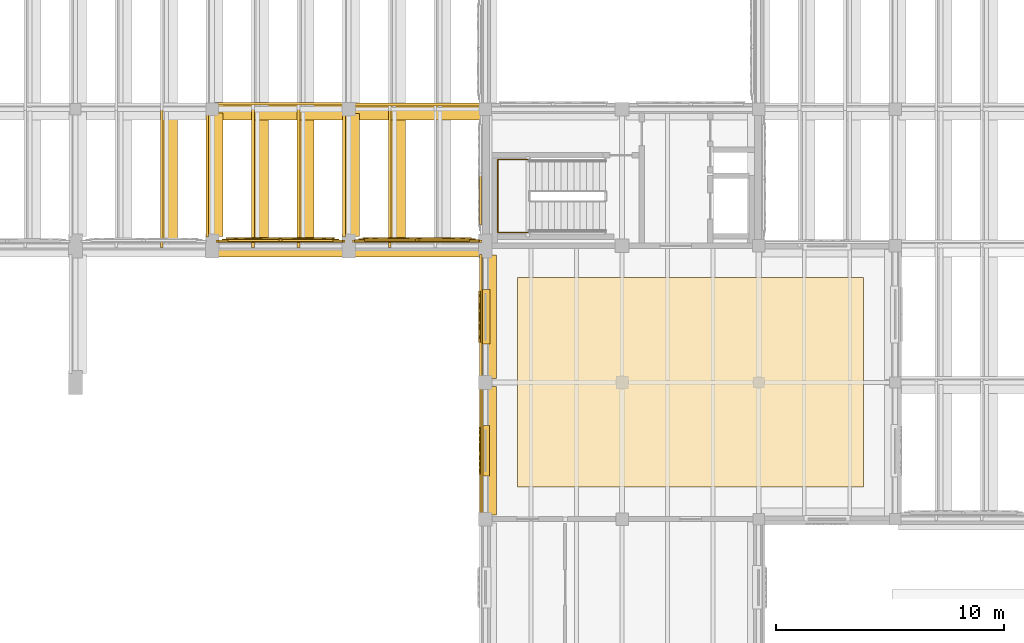
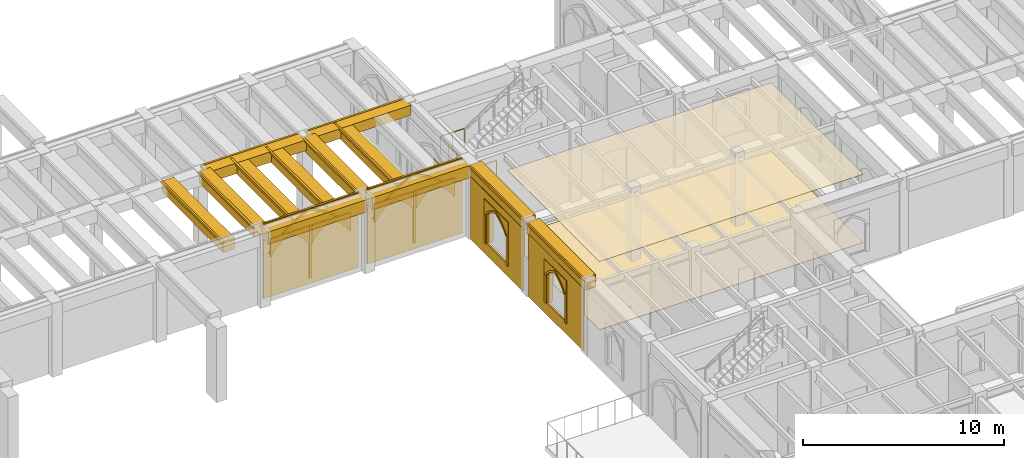
# One storey, part 117 of 127: 45 coverings, 1 railing.
"""IFC4 building model written with IfcOpenShell, lengths in metres."""

from ifc_helpers import new_model, si_unit, direction, frame, origin, origin_2d, place, context, subcontext, project, spatial, polyline, rectangle, circle, outline, extrude, material, type_object, element, save


model = new_model("IFC4")

# Units and contexts
model_context = context("Model", 3, precision=1e-05, world=origin(), true_north=direction((0.0, 1.0)))
body_context = subcontext(model_context, "Body", "Model", "MODEL_VIEW")
ifc_project = project(units=[si_unit("LENGTHUNIT", "METRE"), si_unit("AREAUNIT", "SQUARE_METRE"), si_unit("VOLUMEUNIT", "CUBIC_METRE"), si_unit("PLANEANGLEUNIT", "RADIAN"), si_unit("MASSUNIT", "GRAM", prefix="KILO")], contexts=[model_context])

# Site, building, storey
site_placement = place(None, origin())
site = spatial("IfcSite", under=ifc_project, at=site_placement, CompositionType="ELEMENT")
building_placement = place(site_placement, origin())
building = spatial("IfcBuilding", under=site, at=building_placement, Name="Cumevento Cable Car Station", CompositionType="ELEMENT")
storey_placement = place(building_placement, frame((0.0, 0.0, 4.5)))
storey = spatial("IfcBuildingStorey", under=building, at=storey_placement, Name="L02", CompositionType="ELEMENT", Elevation=4.5)

# Railing
ifc_material_1 = material(Name="Painted Galvanised Architectural Steel", Category="steel")
railing_type = type_object("IfcRailingType", Name="Stair Guardrail GR-S115", PredefinedType="GUARDRAIL", material=ifc_material_1)
railing_placement = place(storey_placement, frame((119.919921875, 45.580078125, 2.25)))
element("IfcRailing", 1, at=railing_placement, inside=storey, type_object=railing_type, Name="Stair Half-Landing Guardrail ST-06-L02", PredefinedType="GUARDRAIL", context=body_context, shape_type="SweptSolid", body=[
    extrude(circle(Radius=0.02392578125, at=origin_2d()), frame((0.0, 0.0, 1.1259765625), z_axis=(-1.0, 0.0, 0.0), x_axis=(0.0, -1.0, 0.0)), (0.0, 0.0, 1.0), 1.3798828125),
    extrude(circle(Radius=0.02392578125, at=origin_2d()), frame((-1.3798828125, 0.0, 1.1259765625), z_axis=(0.0, 1.0, 0.0), x_axis=(-1.0, 0.0, 0.0)), (0.0, 0.0, 1.0), 3.2099609375),
    extrude(circle(Radius=0.02392578125, at=origin_2d()), frame((-1.3798828125, 3.2099609375, 1.1259765625), z_axis=(1.0, 0.0, 0.0), x_axis=(0.0, 1.0, 0.0)), (0.0, 0.0, 1.0), 1.3798828125),
    extrude(circle(Radius=0.02001953125, at=origin_2d()), origin(), (0.0, 0.0, 1.0), 1.101806640625),
    extrude(circle(Radius=0.02001953125, at=origin_2d()), frame((-0.68994140625, 0.0, 0.0)), (0.0, 0.0, 1.0), 1.101806640625),
    extrude(circle(Radius=0.02001953125, at=origin_2d()), frame((-1.3798828125, 0.0, 0.0)), (0.0, 0.0, 1.0), 1.101806640625),
    extrude(circle(Radius=0.02001953125, at=origin_2d()), frame((-1.3798828125, 0.802490234375, 0.0)), (0.0, 0.0, 1.0), 1.101806640625),
    extrude(circle(Radius=0.02001953125, at=origin_2d()), frame((-1.3798828125, 1.60498046875, 0.0)), (0.0, 0.0, 1.0), 1.101806640625),
    extrude(circle(Radius=0.02001953125, at=origin_2d()), frame((-1.3798828125, 2.407470703125, 0.0)), (0.0, 0.0, 1.0), 1.101806640625),
    extrude(circle(Radius=0.02001953125, at=origin_2d()), frame((-1.3798828125, 3.2099609375, 0.0)), (0.0, 0.0, 1.0), 1.101806640625),
    extrude(circle(Radius=0.02001953125, at=origin_2d()), frame((-0.68994140625, 3.2099609375, 0.0)), (0.0, 0.0, 1.0), 1.101806640625),
    extrude(circle(Radius=0.02001953125, at=origin_2d()), frame((0.0, 3.2099609375, 0.0)), (0.0, 0.0, 1.0), 1.101806640625),
])

# Coverings
ifc_material_2 = material(Name="Perforated Brazilian Ipe Timber Ceiling", Category="wood")
covering_type_1 = type_object("IfcCoveringType", Name="Acoustic Timber Ceiling CV-CE01", PredefinedType="CEILING", material=ifc_material_2)
covering_1_placement = place(storey_placement, frame((0.0, 0.0, 4.156982421875)))
element("IfcCovering", 2, at=covering_1_placement, inside=storey, type_object=covering_type_1, Name="Acoustic Timber Soffit Ceiling #8", PredefinedType="CEILING", context=body_context, shape_type="SweptSolid", body=[
    extrude(outline(polyline([(119.39990234375, 34.39990234375), (134.60009765625, 34.39990234375), (134.60009765625, 43.60009765625), (119.39990234375, 43.60009765625), (119.39990234375, 34.39990234375)])), origin(), (0.0, 0.0, 1.0), 0.028076171875),
])
ifc_material_3 = material(Name="Polished Carioca Granite Terrazzo Tile", Category="masonry")
covering_type_2 = type_object("IfcCoveringType", Name="Carioca Granite Flooring CV-FL01", PredefinedType="FLOORING", material=ifc_material_3)
covering_2_placement = place(storey_placement, origin())
element("IfcCovering", 3, at=covering_2_placement, inside=storey, type_object=covering_type_2, Name="Granite Terrazzo Floor Finish #8", PredefinedType="FLOORING", context=body_context, shape_type="SweptSolid", body=[
    extrude(outline(polyline([(119.39990234375, 34.39990234375), (134.60009765625, 34.39990234375), (134.60009765625, 43.60009765625), (119.39990234375, 43.60009765625), (119.39990234375, 34.39990234375)])), origin(), (0.0, 0.0, 1.0), 0.02197265625),
])
ifc_material_4 = material(Name="Gnaisse Facoidal Stone Ashlar 85 MPa", Category="masonry")
covering_type_3 = type_object("IfcCoveringType", Name="Gnaisse Ashlar Cladding CV-CL01", PredefinedType="CLADDING", material=ifc_material_4)
covering_3_placement = place(storey_placement, frame((109.0, 44.85009765625, 3.722900390625), z_axis=(0.0, 0.0, 1.0), x_axis=(1.0, 0.0, 0.0)))
element("IfcCovering", 4, at=covering_3_placement, inside=storey, type_object=covering_type_3, Name="Gothic Stone Spandrel Stringcourse sc:0402", PredefinedType="CLADDING", context=body_context, shape_type="SweptSolid", body=[
    extrude(rectangle(XDim=5.639892578125, YDim=0.659912109375, at=origin_2d()), origin(), (0.0, 0.0, 1.0), 0.7470703125),
])
covering_4_placement = place(storey_placement, frame((109.0, 45.20751953125, 4.340087890625), z_axis=(0.0, 0.0, 1.0), x_axis=(1.0, 0.0, 0.0)))
element("IfcCovering", 5, at=covering_4_placement, inside=storey, type_object=covering_type_3, Name="Gothic Cornice Dripstone Lip sc:0402", PredefinedType="CLADDING", context=body_context, shape_type="SweptSolid", body=[
    extrude(rectangle(XDim=5.679931640625, YDim=0.114990234375, at=origin_2d()), origin(), (0.0, 0.0, 1.0), 0.1298828125),
])
covering_5_placement = place(storey_placement, frame((115.0, 44.85009765625, 3.718017578125), z_axis=(0.0, 0.0, 1.0), x_axis=(1.0, 0.0, 0.0)))
element("IfcCovering", 6, at=covering_5_placement, inside=storey, type_object=covering_type_3, Name="Gothic Stone Spandrel Stringcourse sc:0403", PredefinedType="CLADDING", context=body_context, shape_type="SweptSolid", body=[
    extrude(rectangle(XDim=5.639892578125, YDim=0.659912109375, at=origin_2d()), origin(), (0.0, 0.0, 1.0), 0.7470703125),
])
covering_6_placement = place(storey_placement, frame((115.0, 45.20751953125, 4.3349609375), z_axis=(0.0, 0.0, 1.0), x_axis=(1.0, 0.0, 0.0)))
element("IfcCovering", 7, at=covering_6_placement, inside=storey, type_object=covering_type_3, Name="Gothic Cornice Dripstone Lip sc:0403", PredefinedType="CLADDING", context=body_context, shape_type="SweptSolid", body=[
    extrude(rectangle(XDim=5.679931640625, YDim=0.114990234375, at=origin_2d()), origin(), (0.0, 0.0, 1.0), 0.1298828125),
])
covering_7_placement = place(storey_placement, frame((108.987548828125, 50.863525390625, 3.823974609375), z_axis=(0.0, 0.0, 1.0), x_axis=(1.0, 0.0, 0.0)))
element("IfcCovering", 8, at=covering_7_placement, inside=storey, type_object=covering_type_3, Name="Gothic Stone Spandrel Stringcourse sc:0407", PredefinedType="CLADDING", context=body_context, shape_type="SweptSolid", body=[
    extrude(rectangle(XDim=5.6650390625, YDim=0.68701171875, at=origin_2d()), origin(), (0.0, 0.0, 1.0), 0.64599609375),
])
covering_8_placement = place(storey_placement, frame((108.987548828125, 51.234619140625, 4.340087890625), z_axis=(0.0, 0.0, 1.0), x_axis=(1.0, 0.0, 0.0)))
element("IfcCovering", 9, at=covering_8_placement, inside=storey, type_object=covering_type_3, Name="Gothic Cornice Dripstone Lip sc:0407", PredefinedType="CLADDING", context=body_context, shape_type="SweptSolid", body=[
    extrude(rectangle(XDim=5.705078125, YDim=0.114990234375, at=origin_2d()), origin(), (0.0, 0.0, 1.0), 0.1298828125),
])
covering_9_placement = place(storey_placement, frame((115.012451171875, 50.85009765625, 3.864013671875), z_axis=(0.0, 0.0, 1.0), x_axis=(1.0, 0.0, 0.0)))
element("IfcCovering", 10, at=covering_9_placement, inside=storey, type_object=covering_type_3, Name="Gothic Stone Spandrel Stringcourse sc:0408", PredefinedType="CLADDING", context=body_context, shape_type="SweptSolid", body=[
    extrude(rectangle(XDim=5.6650390625, YDim=0.659912109375, at=origin_2d()), origin(), (0.0, 0.0, 1.0), 0.60595703125),
])
covering_10_placement = place(storey_placement, frame((115.012451171875, 51.20751953125, 4.340087890625), z_axis=(0.0, 0.0, 1.0), x_axis=(1.0, 0.0, 0.0)))
element("IfcCovering", 11, at=covering_10_placement, inside=storey, type_object=covering_type_3, Name="Gothic Cornice Dripstone Lip sc:0408", PredefinedType="CLADDING", context=body_context, shape_type="SweptSolid", body=[
    extrude(rectangle(XDim=5.705078125, YDim=0.114990234375, at=origin_2d()), origin(), (0.0, 0.0, 1.0), 0.1298828125),
])
covering_11_placement = place(storey_placement, frame((106.148681640625, 48.125, 3.77587890625), z_axis=(0.0, 0.0, 1.0), x_axis=(0.0, 1.0, 0.0)))
element("IfcCovering", 12, at=covering_11_placement, inside=storey, type_object=covering_type_3, Name="Gothic Stone Spandrel Stringcourse sc:0418", PredefinedType="CLADDING", context=body_context, shape_type="SweptSolid", body=[
    extrude(rectangle(XDim=5.43994140625, YDim=0.66259765625, at=origin_2d()), origin(), (0.0, 0.0, 1.0), 0.694091796875),
])
covering_12_placement = place(storey_placement, frame((105.7900390625, 48.125, 4.340087890625), z_axis=(0.0, 0.0, 1.0), x_axis=(0.0, 1.0, 0.0)))
element("IfcCovering", 13, at=covering_12_placement, inside=storey, type_object=covering_type_3, Name="Gothic Cornice Dripstone Lip sc:0418", PredefinedType="CLADDING", context=body_context, shape_type="SweptSolid", body=[
    extrude(rectangle(XDim=5.47998046875, YDim=0.114990234375, at=origin_2d()), origin(), (0.0, 0.0, 1.0), 0.1298828125),
])
covering_13_placement = place(storey_placement, frame((112.14990234375, 48.112548828125, 3.6728515625), z_axis=(0.0, 0.0, 1.0), x_axis=(0.0, 1.0, 0.0)))
element("IfcCovering", 14, at=covering_13_placement, inside=storey, type_object=covering_type_3, Name="Gothic Stone Spandrel Stringcourse sc:0420", PredefinedType="CLADDING", context=body_context, shape_type="SweptSolid", body=[
    extrude(rectangle(XDim=5.4150390625, YDim=0.659912109375, at=origin_2d()), origin(), (0.0, 0.0, 1.0), 0.797119140625),
])
covering_14_placement = place(storey_placement, frame((111.79248046875, 48.112548828125, 4.340087890625), z_axis=(0.0, 0.0, 1.0), x_axis=(0.0, 1.0, 0.0)))
element("IfcCovering", 15, at=covering_14_placement, inside=storey, type_object=covering_type_3, Name="Gothic Cornice Dripstone Lip sc:0420", PredefinedType="CLADDING", context=body_context, shape_type="SweptSolid", body=[
    extrude(rectangle(XDim=5.455078125, YDim=0.114990234375, at=origin_2d()), origin(), (0.0, 0.0, 1.0), 0.1298828125),
])
covering_15_placement = place(storey_placement, frame((118.14990234375, 36.0, 3.718017578125), z_axis=(0.0, 0.0, 1.0), x_axis=(0.0, 1.0, 0.0)))
element("IfcCovering", 16, at=covering_15_placement, inside=storey, type_object=covering_type_3, Name="Gothic Stone Spandrel Stringcourse sc:0451", PredefinedType="CLADDING", context=body_context, shape_type="SweptSolid", body=[
    extrude(rectangle(XDim=5.639892578125, YDim=0.659912109375, at=origin_2d()), origin(), (0.0, 0.0, 1.0), 0.7470703125),
])
covering_16_placement = place(storey_placement, frame((117.79248046875, 36.0, 4.3349609375), z_axis=(0.0, 0.0, 1.0), x_axis=(0.0, 1.0, 0.0)))
element("IfcCovering", 17, at=covering_16_placement, inside=storey, type_object=covering_type_3, Name="Gothic Cornice Dripstone Lip sc:0451", PredefinedType="CLADDING", context=body_context, shape_type="SweptSolid", body=[
    extrude(rectangle(XDim=5.679931640625, YDim=0.114990234375, at=origin_2d()), origin(), (0.0, 0.0, 1.0), 0.1298828125),
])
covering_17_placement = place(storey_placement, frame((118.14990234375, 41.887451171875, 3.718017578125), z_axis=(0.0, 0.0, 1.0), x_axis=(0.0, 1.0, 0.0)))
element("IfcCovering", 18, at=covering_17_placement, inside=storey, type_object=covering_type_3, Name="Gothic Stone Spandrel Stringcourse sc:0452", PredefinedType="CLADDING", context=body_context, shape_type="SweptSolid", body=[
    extrude(rectangle(XDim=5.4150390625, YDim=0.659912109375, at=origin_2d()), origin(), (0.0, 0.0, 1.0), 0.7470703125),
])
covering_18_placement = place(storey_placement, frame((117.79248046875, 41.887451171875, 4.3349609375), z_axis=(0.0, 0.0, 1.0), x_axis=(0.0, 1.0, 0.0)))
element("IfcCovering", 19, at=covering_18_placement, inside=storey, type_object=covering_type_3, Name="Gothic Cornice Dripstone Lip sc:0452", PredefinedType="CLADDING", context=body_context, shape_type="SweptSolid", body=[
    extrude(rectangle(XDim=5.455078125, YDim=0.114990234375, at=origin_2d()), origin(), (0.0, 0.0, 1.0), 0.1298828125),
])
covering_19_placement = place(storey_placement, frame((104.14990234375, 47.9931640625, 3.77490234375), z_axis=(0.0, 0.0, 1.0), x_axis=(0.0, 1.0, 0.0)))
element("IfcCovering", 20, at=covering_19_placement, inside=storey, type_object=covering_type_3, Name="Gothic Stone Spandrel Stringcourse sc:0530", PredefinedType="CLADDING", context=body_context, shape_type="SweptSolid", body=[
    extrude(rectangle(XDim=6.072509765625, YDim=0.659912109375, at=origin_2d()), origin(), (0.0, 0.0, 1.0), 0.695068359375),
])
covering_20_placement = place(storey_placement, frame((103.79248046875, 47.9931640625, 4.340087890625), z_axis=(0.0, 0.0, 1.0), x_axis=(0.0, 1.0, 0.0)))
element("IfcCovering", 21, at=covering_20_placement, inside=storey, type_object=covering_type_3, Name="Gothic Cornice Dripstone Lip sc:0530", PredefinedType="CLADDING", context=body_context, shape_type="SweptSolid", body=[
    extrude(rectangle(XDim=6.112548828125, YDim=0.114990234375, at=origin_2d()), origin(), (0.0, 0.0, 1.0), 0.1298828125),
])
covering_21_placement = place(storey_placement, frame((108.14990234375, 47.98095703125, 3.77490234375), z_axis=(0.0, 0.0, 1.0), x_axis=(0.0, 1.0, 0.0)))
element("IfcCovering", 22, at=covering_21_placement, inside=storey, type_object=covering_type_3, Name="Gothic Stone Spandrel Stringcourse sc:0532", PredefinedType="CLADDING", context=body_context, shape_type="SweptSolid", body=[
    extrude(rectangle(XDim=6.048095703125, YDim=0.659912109375, at=origin_2d()), origin(), (0.0, 0.0, 1.0), 0.695068359375),
])
covering_22_placement = place(storey_placement, frame((107.79248046875, 47.98095703125, 4.340087890625), z_axis=(0.0, 0.0, 1.0), x_axis=(0.0, 1.0, 0.0)))
element("IfcCovering", 23, at=covering_22_placement, inside=storey, type_object=covering_type_3, Name="Gothic Cornice Dripstone Lip sc:0532", PredefinedType="CLADDING", context=body_context, shape_type="SweptSolid", body=[
    extrude(rectangle(XDim=6.087890625, YDim=0.114990234375, at=origin_2d()), origin(), (0.0, 0.0, 1.0), 0.1298828125),
])
covering_23_placement = place(storey_placement, frame((110.14990234375, 47.98095703125, 3.77490234375), z_axis=(0.0, 0.0, 1.0), x_axis=(0.0, 1.0, 0.0)))
element("IfcCovering", 24, at=covering_23_placement, inside=storey, type_object=covering_type_3, Name="Gothic Stone Spandrel Stringcourse sc:0534", PredefinedType="CLADDING", context=body_context, shape_type="SweptSolid", body=[
    extrude(rectangle(XDim=6.048095703125, YDim=0.659912109375, at=origin_2d()), origin(), (0.0, 0.0, 1.0), 0.695068359375),
])
covering_24_placement = place(storey_placement, frame((109.79248046875, 47.98095703125, 4.340087890625), z_axis=(0.0, 0.0, 1.0), x_axis=(0.0, 1.0, 0.0)))
element("IfcCovering", 25, at=covering_24_placement, inside=storey, type_object=covering_type_3, Name="Gothic Cornice Dripstone Lip sc:0534", PredefinedType="CLADDING", context=body_context, shape_type="SweptSolid", body=[
    extrude(rectangle(XDim=6.087890625, YDim=0.114990234375, at=origin_2d()), origin(), (0.0, 0.0, 1.0), 0.1298828125),
])
covering_25_placement = place(storey_placement, frame((114.14990234375, 48.007568359375, 3.77490234375), z_axis=(0.0, 0.0, 1.0), x_axis=(0.0, 1.0, 0.0)))
element("IfcCovering", 26, at=covering_25_placement, inside=storey, type_object=covering_type_3, Name="Gothic Stone Spandrel Stringcourse sc:0536", PredefinedType="CLADDING", context=body_context, shape_type="SweptSolid", body=[
    extrude(rectangle(XDim=6.10107421875, YDim=0.659912109375, at=origin_2d()), origin(), (0.0, 0.0, 1.0), 0.695068359375),
])
covering_26_placement = place(storey_placement, frame((113.79248046875, 48.007568359375, 4.340087890625), z_axis=(0.0, 0.0, 1.0), x_axis=(0.0, 1.0, 0.0)))
element("IfcCovering", 27, at=covering_26_placement, inside=storey, type_object=covering_type_3, Name="Gothic Cornice Dripstone Lip sc:0536", PredefinedType="CLADDING", context=body_context, shape_type="SweptSolid", body=[
    extrude(rectangle(XDim=6.14111328125, YDim=0.114990234375, at=origin_2d()), origin(), (0.0, 0.0, 1.0), 0.1298828125),
])
covering_27_placement = place(storey_placement, frame((106.300048828125, 45.0, 0.0), z_axis=(0.0, 0.0, 1.0), x_axis=(1.0, 0.0, 0.0)))
element("IfcCovering", 28, at=covering_27_placement, inside=storey, type_object=covering_type_3, Name="Exterior Gnaisse Stone Wall Ashlar #51", PredefinedType="CLADDING", context=body_context, shape_type="SweptSolid", body=[
    extrude(outline(polyline([(-0.0400390625, -0.02001953125), (5.43994140625, -0.02001953125), (5.43994140625, 4.52001953125), (-0.0400390625, 4.52001953125), (-0.0400390625, -0.02001953125)])), frame((0.0, 0.25, 0.0), z_axis=(0.0, -1.0, 0.0), x_axis=(1.0, 0.0, 0.0)), (0.0, 0.0, 1.0), 0.0849609375),
])
placement_1 = place(storey_placement, frame((106.47998046875, 45.0, 0.300048828125), z_axis=(0.0, 0.0, 1.0), x_axis=(1.0, 0.0, 0.0)))
element("IfcCovering", 29, at=placement_1, inside=storey, type_object=covering_type_3, Name="Gothic Ogival Pointed-Arch Stone Spandrel blind_ogival:0051", PredefinedType="CLADDING", context=body_context, shape_type="SweptSolid", body=[
    extrude(outline(polyline([(-0.050048828125, 0.0), (-0.050048828125, 4.239990234375), (5.090087890625, 4.239990234375), (5.090087890625, 0.0), (4.780029296875, 0.0), (4.780029296875, 2.219970703125), (4.531982421875, 2.55810546875), (4.255126953125, 2.872802734375), (3.951416015625, 3.161865234375), (3.62353515625, 3.423095703125), (3.273681640625, 3.654296875), (2.905029296875, 3.853759765625), (2.52001953125, 4.02001953125), (2.135009765625, 3.853759765625), (1.766357421875, 3.654296875), (1.41650390625, 3.423095703125), (1.088623046875, 3.161865234375), (0.784912109375, 2.872802734375), (0.508056640625, 2.55810546875), (0.260009765625, 2.219970703125), (0.260009765625, 0.0), (-0.050048828125, 0.0)])), frame((0.0, 0.304931640625, 0.0), z_axis=(0.0, -1.0, 0.0), x_axis=(1.0, 0.0, 0.0)), (0.0, 0.0, 1.0), 0.110107421875),
])
covering_29_placement = place(storey_placement, frame((106.47998046875, 45.0, 2.52001953125), z_axis=(0.0, 0.0, 1.0), x_axis=(1.0, 0.0, 0.0)))
element("IfcCovering", 30, at=covering_29_placement, inside=storey, type_object=covering_type_3, Name="Gothic Pointed Archivolt Hood Moulding blind_ogival:0051", PredefinedType="CLADDING", context=body_context, shape_type="SweptSolid", body=[
    extrude(outline(polyline([(0.260009765625, 0.0), (0.508056640625, 0.338134765625), (0.784912109375, 0.65283203125), (1.088623046875, 0.94189453125), (1.41650390625, 1.203125), (1.766357421875, 1.434326171875), (2.135009765625, 1.6337890625), (2.52001953125, 1.800048828125), (2.905029296875, 1.6337890625), (3.273681640625, 1.434326171875), (3.62353515625, 1.203125), (3.951416015625, 0.94189453125), (4.255126953125, 0.65283203125), (4.531982421875, 0.338134765625), (4.780029296875, 0.0), (4.90087890625, 0.0), (4.6435546875, 0.365478515625), (4.354248046875, 0.706298828125), (4.03564453125, 1.01953125), (3.689697265625, 1.302978515625), (3.31982421875, 1.553955078125), (2.928955078125, 1.770751953125), (2.52001953125, 1.951171875), (2.111083984375, 1.770751953125), (1.72021484375, 1.553955078125), (1.350341796875, 1.302978515625), (1.00439453125, 1.01953125), (0.685791015625, 0.706298828125), (0.396484375, 0.365478515625), (0.138916015625, 0.0), (0.260009765625, 0.0)])), frame((0.0, 0.346923828125, 0.0), z_axis=(0.0, -1.0, 0.0), x_axis=(1.0, 0.0, 0.0)), (0.0, 0.0, 1.0), 0.06689453125),
])
element("IfcCovering", 31, at=placement_1, inside=storey, type_object=covering_type_3, Name="Gothic Bifora Stone Colonnette blind_ogival:0051 #1", PredefinedType="CLADDING", context=body_context, shape_type="SweptSolid", body=[
    extrude(outline(polyline([(2.445068359375, -0.02001953125), (2.594970703125, -0.02001953125), (2.594970703125, 3.156005859375), (2.445068359375, 3.156005859375), (2.445068359375, -0.02001953125)])), frame((0.0, 0.29296875, 0.0), z_axis=(0.0, -1.0, 0.0), x_axis=(1.0, 0.0, 0.0)), (0.0, 0.0, 1.0), 0.094970703125),
])
for number, where, z_axis, x_axis, name in (
    (32, (106.7099609375, 45.0, 2.340087890625), (0.0, 0.0, 1.0), (1.0, 0.0, 0.0), "Gothic Ogival Pointed-Arch Stone Spandrel blind_ogival:0051:sub:0"),
    (33, (109.044921875, 45.0, 2.340087890625), (0.0, 0.0, 1.0), (1.0, 0.0, 0.0), "Gothic Ogival Pointed-Arch Stone Spandrel blind_ogival:0051:sub:1"),
):
    element("IfcCovering", number, at=place(storey_placement, frame(where, z_axis=z_axis, x_axis=x_axis)), inside=storey, type_object=covering_type_3, Name=name, PredefinedType="CLADDING", context=body_context, shape_type="SweptSolid", body=[
        extrude(outline(polyline([(-0.02001953125, 0.0), (-0.02001953125, 1.115966796875), (2.264892578125, 1.115966796875), (2.264892578125, 0.0), (2.205078125, 0.0), (2.076171875, 0.214111328125), (1.923828125, 0.412109375), (1.75, 0.591552734375), (1.556640625, 0.75), (1.3466796875, 0.88525390625), (1.12255859375, 0.99609375), (0.8984375, 0.88525390625), (0.6884765625, 0.75), (0.4951171875, 0.591552734375), (0.3212890625, 0.412109375), (0.1689453125, 0.214111328125), (0.0400390625, 0.0), (-0.02001953125, 0.0)])), frame((0.0, 0.2890625, 0.0), z_axis=(0.0, -1.0, 0.0), x_axis=(1.0, 0.0, 0.0)), (0.0, 0.0, 1.0), 0.090087890625),
    ])
covering_31_placement = place(storey_placement, frame((112.300048828125, 45.0, 0.0), z_axis=(0.0, 0.0, 1.0), x_axis=(1.0, 0.0, 0.0)))
element("IfcCovering", 34, at=covering_31_placement, inside=storey, type_object=covering_type_3, Name="Exterior Gnaisse Stone Wall Ashlar #52", PredefinedType="CLADDING", context=body_context, shape_type="SweptSolid", body=[
    extrude(outline(polyline([(-0.0400390625, -0.02001953125), (5.43994140625, -0.02001953125), (5.43994140625, 4.52001953125), (-0.0400390625, 4.52001953125), (-0.0400390625, -0.02001953125)])), frame((0.0, 0.262451171875, 0.0), z_axis=(0.0, -1.0, 0.0), x_axis=(1.0, 0.0, 0.0)), (0.0, 0.0, 1.0), 0.0849609375),
])
placement_2 = place(storey_placement, frame((112.47998046875, 45.0, 0.300048828125), z_axis=(0.0, 0.0, 1.0), x_axis=(1.0, 0.0, 0.0)))
element("IfcCovering", 35, at=placement_2, inside=storey, type_object=covering_type_3, Name="Gothic Ogival Pointed-Arch Stone Spandrel blind_ogival:0052", PredefinedType="CLADDING", context=body_context, shape_type="SweptSolid", body=[
    extrude(outline(polyline([(-0.050048828125, 0.0), (-0.050048828125, 4.239990234375), (5.090087890625, 4.239990234375), (5.090087890625, 0.0), (4.780029296875, 0.0), (4.780029296875, 2.219970703125), (4.531982421875, 2.55810546875), (4.255126953125, 2.872802734375), (3.951416015625, 3.161865234375), (3.62353515625, 3.423095703125), (3.273681640625, 3.654296875), (2.905029296875, 3.853759765625), (2.52001953125, 4.02001953125), (2.135009765625, 3.853759765625), (1.766357421875, 3.654296875), (1.41650390625, 3.423095703125), (1.088623046875, 3.161865234375), (0.784912109375, 2.872802734375), (0.508056640625, 2.55810546875), (0.260009765625, 2.219970703125), (0.260009765625, 0.0), (-0.050048828125, 0.0)])), frame((0.0, 0.3173828125, 0.0), z_axis=(0.0, -1.0, 0.0), x_axis=(1.0, 0.0, 0.0)), (0.0, 0.0, 1.0), 0.110107421875),
])
covering_33_placement = place(storey_placement, frame((112.47998046875, 45.0, 2.52001953125), z_axis=(0.0, 0.0, 1.0), x_axis=(1.0, 0.0, 0.0)))
element("IfcCovering", 36, at=covering_33_placement, inside=storey, type_object=covering_type_3, Name="Gothic Pointed Archivolt Hood Moulding blind_ogival:0052", PredefinedType="CLADDING", context=body_context, shape_type="SweptSolid", body=[
    extrude(outline(polyline([(0.260009765625, 0.0), (0.508056640625, 0.338134765625), (0.784912109375, 0.65283203125), (1.088623046875, 0.94189453125), (1.41650390625, 1.203125), (1.766357421875, 1.434326171875), (2.135009765625, 1.6337890625), (2.52001953125, 1.800048828125), (2.905029296875, 1.6337890625), (3.273681640625, 1.434326171875), (3.62353515625, 1.203125), (3.951416015625, 0.94189453125), (4.255126953125, 0.65283203125), (4.531982421875, 0.338134765625), (4.780029296875, 0.0), (4.90087890625, 0.0), (4.6435546875, 0.365478515625), (4.354248046875, 0.706298828125), (4.03564453125, 1.01953125), (3.689697265625, 1.302978515625), (3.31982421875, 1.553955078125), (2.928955078125, 1.770751953125), (2.52001953125, 1.951171875), (2.111083984375, 1.770751953125), (1.72021484375, 1.553955078125), (1.350341796875, 1.302978515625), (1.00439453125, 1.01953125), (0.685791015625, 0.706298828125), (0.396484375, 0.365478515625), (0.138916015625, 0.0), (0.260009765625, 0.0)])), frame((0.0, 0.359619140625, 0.0), z_axis=(0.0, -1.0, 0.0), x_axis=(1.0, 0.0, 0.0)), (0.0, 0.0, 1.0), 0.06689453125),
])
element("IfcCovering", 37, at=placement_2, inside=storey, type_object=covering_type_3, Name="Gothic Bifora Stone Colonnette blind_ogival:0052 #1", PredefinedType="CLADDING", context=body_context, shape_type="SweptSolid", body=[
    extrude(outline(polyline([(2.445068359375, -0.02001953125), (2.594970703125, -0.02001953125), (2.594970703125, 3.156005859375), (2.445068359375, 3.156005859375), (2.445068359375, -0.02001953125)])), frame((0.0, 0.305419921875, 0.0), z_axis=(0.0, -1.0, 0.0), x_axis=(1.0, 0.0, 0.0)), (0.0, 0.0, 1.0), 0.094970703125),
])
for number, where, z_axis, x_axis, name in (
    (38, (112.7099609375, 45.0, 2.340087890625), (0.0, 0.0, 1.0), (1.0, 0.0, 0.0), "Gothic Ogival Pointed-Arch Stone Spandrel blind_ogival:0052:sub:0"),
    (39, (115.044921875, 45.0, 2.340087890625), (0.0, 0.0, 1.0), (1.0, 0.0, 0.0), "Gothic Ogival Pointed-Arch Stone Spandrel blind_ogival:0052:sub:1"),
):
    element("IfcCovering", number, at=place(storey_placement, frame(where, z_axis=z_axis, x_axis=x_axis)), inside=storey, type_object=covering_type_3, Name=name, PredefinedType="CLADDING", context=body_context, shape_type="SweptSolid", body=[
        extrude(outline(polyline([(-0.02001953125, 0.0), (-0.02001953125, 1.115966796875), (2.264892578125, 1.115966796875), (2.264892578125, 0.0), (2.205078125, 0.0), (2.076171875, 0.214111328125), (1.923828125, 0.412109375), (1.75, 0.591552734375), (1.556640625, 0.75), (1.3466796875, 0.88525390625), (1.12255859375, 0.99609375), (0.8984375, 0.88525390625), (0.6884765625, 0.75), (0.4951171875, 0.591552734375), (0.3212890625, 0.412109375), (0.1689453125, 0.214111328125), (0.0400390625, 0.0), (-0.02001953125, 0.0)])), frame((0.0, 0.301513671875, 0.0), z_axis=(0.0, -1.0, 0.0), x_axis=(1.0, 0.0, 0.0)), (0.0, 0.0, 1.0), 0.090087890625),
    ])
covering_35_placement = place(storey_placement, frame((118.0, 33.300048828125, 0.0), z_axis=(0.0, 0.0, 1.0), x_axis=(0.0, 1.0, 0.0)))
element("IfcCovering", 40, at=covering_35_placement, inside=storey, type_object=covering_type_3, Name="Exterior Gnaisse Stone Wall Ashlar #215", PredefinedType="CLADDING", context=body_context, shape_type="SweptSolid", body=[
    extrude(outline(polyline([(-0.0400390625, -0.02001953125), (5.43994140625, -0.02001953125), (5.43994140625, 3.798095703125), (-0.0400390625, 3.798095703125), (-0.0400390625, -0.02001953125)]), holes=[polyline([(1.784912109375, 0.7099609375), (3.614990234375, 0.7099609375), (3.614990234375, 3.0400390625), (1.784912109375, 3.0400390625), (1.784912109375, 0.7099609375)])]), frame((0.0, 0.1923828125, 0.0), z_axis=(0.0, -1.0, 0.0), x_axis=(1.0, 0.0, 0.0)), (0.0, 0.0, 1.0), 0.0849609375),
])
covering_36_placement = place(storey_placement, frame((118.0, 34.93505859375, 0.64990234375), z_axis=(0.0, 0.0, 1.0), x_axis=(0.0, 1.0, 0.0)))
element("IfcCovering", 41, at=covering_36_placement, inside=storey, type_object=covering_type_3, Name="Gothic Ogival Pointed-Arch Stone Spandrel op_ogival:0215:1", PredefinedType="CLADDING", context=body_context, shape_type="SweptSolid", body=[
    extrude(outline(polyline([(-0.0400390625, 0.0), (-0.0400390625, 2.6201171875), (2.169921875, 2.6201171875), (2.169921875, 0.0), (1.989990234375, 0.0), (1.989990234375, 1.741943359375), (1.8857421875, 1.87353515625), (1.7705078125, 1.99609375), (1.6455078125, 2.108154296875), (1.511474609375, 2.20947265625), (1.369384765625, 2.298828125), (1.22021484375, 2.375732421875), (1.06494140625, 2.43994140625), (0.90966796875, 2.375732421875), (0.760498046875, 2.298828125), (0.618408203125, 2.20947265625), (0.484375, 2.108154296875), (0.359375, 1.99609375), (0.244140625, 1.87353515625), (0.139892578125, 1.741943359375), (0.139892578125, 0.0), (-0.0400390625, 0.0)])), frame((0.0, 0.23046875, 0.0), z_axis=(0.0, -1.0, 0.0), x_axis=(1.0, 0.0, 0.0)), (0.0, 0.0, 1.0), 0.4150390625),
])
covering_37_placement = place(storey_placement, frame((118.0, 34.93505859375, 2.39208984375), z_axis=(0.0, 0.0, 1.0), x_axis=(0.0, 1.0, 0.0)))
element("IfcCovering", 42, at=covering_37_placement, inside=storey, type_object=covering_type_3, Name="Gothic Pointed Archivolt Hood Moulding op_ogival:0215:1", PredefinedType="CLADDING", context=body_context, shape_type="SweptSolid", body=[
    extrude(outline(polyline([(0.139892578125, 0.0), (0.244140625, 0.131591796875), (0.359375, 0.254150390625), (0.484375, 0.3662109375), (0.618408203125, 0.467529296875), (0.760498046875, 0.556884765625), (0.90966796875, 0.6337890625), (1.06494140625, 0.697998046875), (1.22021484375, 0.6337890625), (1.369384765625, 0.556884765625), (1.511474609375, 0.467529296875), (1.6455078125, 0.3662109375), (1.7705078125, 0.254150390625), (1.8857421875, 0.131591796875), (1.989990234375, 0.0), (2.089111328125, 0.0), (1.97705078125, 0.154296875), (1.851806640625, 0.2978515625), (1.71435546875, 0.429931640625), (1.565673828125, 0.549072265625), (1.406982421875, 0.65478515625), (1.23974609375, 0.745849609375), (1.06494140625, 0.82177734375), (0.89013671875, 0.745849609375), (0.722900390625, 0.65478515625), (0.564208984375, 0.549072265625), (0.41552734375, 0.429931640625), (0.278076171875, 0.2978515625), (0.15283203125, 0.154296875), (0.041015625, 0.0), (0.139892578125, 0.0)])), frame((0.0, 0.2724609375, 0.0), z_axis=(0.0, -1.0, 0.0), x_axis=(1.0, 0.0, 0.0)), (0.0, 0.0, 1.0), 0.06689453125),
])
covering_38_placement = place(storey_placement, frame((118.0, 39.300048828125, 0.0), z_axis=(0.0, 0.0, 1.0), x_axis=(0.0, 1.0, 0.0)))
element("IfcCovering", 43, at=covering_38_placement, inside=storey, type_object=covering_type_3, Name="Exterior Gnaisse Stone Wall Ashlar #217", PredefinedType="CLADDING", context=body_context, shape_type="SweptSolid", body=[
    extrude(outline(polyline([(-0.0400390625, -0.02001953125), (5.215087890625, -0.02001953125), (5.215087890625, 3.798095703125), (-0.0400390625, 3.798095703125), (-0.0400390625, -0.02001953125)]), holes=[polyline([(1.572509765625, 0.7099609375), (3.6025390625, 0.7099609375), (3.6025390625, 3.090087890625), (1.572509765625, 3.090087890625), (1.572509765625, 0.7099609375)])]), frame((0.0, 0.20751953125, 0.0), z_axis=(0.0, -1.0, 0.0), x_axis=(1.0, 0.0, 0.0)), (0.0, 0.0, 1.0), 0.0849609375),
])
covering_39_placement = place(storey_placement, frame((118.0, 40.722412109375, 0.64990234375), z_axis=(0.0, 0.0, 1.0), x_axis=(0.0, 1.0, 0.0)))
element("IfcCovering", 44, at=covering_39_placement, inside=storey, type_object=covering_type_3, Name="Gothic Ogival Pointed-Arch Stone Spandrel op_ogival:0217:1", PredefinedType="CLADDING", context=body_context, shape_type="SweptSolid", body=[
    extrude(outline(polyline([(-0.0400390625, 0.0), (-0.0400390625, 2.669921875), (2.3701171875, 2.669921875), (2.3701171875, 0.0), (2.18994140625, 0.0), (2.18994140625, 1.778076171875), (2.0703125, 1.913330078125), (1.9404296875, 2.03857421875), (1.80078125, 2.153076171875), (1.65234375, 2.256103515625), (1.496337890625, 2.3466796875), (1.33349609375, 2.425048828125), (1.1650390625, 2.489990234375), (0.99658203125, 2.425048828125), (0.833740234375, 2.3466796875), (0.677734375, 2.256103515625), (0.529296875, 2.153076171875), (0.3896484375, 2.03857421875), (0.259765625, 1.913330078125), (0.139892578125, 1.778076171875), (0.139892578125, 0.0), (-0.0400390625, 0.0)])), frame((0.0, 0.24560546875, 0.0), z_axis=(0.0, -1.0, 0.0), x_axis=(1.0, 0.0, 0.0)), (0.0, 0.0, 1.0), 0.445068359375),
])
covering_40_placement = place(storey_placement, frame((118.0, 40.722412109375, 2.427978515625), z_axis=(0.0, 0.0, 1.0), x_axis=(0.0, 1.0, 0.0)))
element("IfcCovering", 45, at=covering_40_placement, inside=storey, type_object=covering_type_3, Name="Gothic Pointed Archivolt Hood Moulding op_ogival:0217:1", PredefinedType="CLADDING", context=body_context, shape_type="SweptSolid", body=[
    extrude(outline(polyline([(0.139892578125, 0.0), (0.259765625, 0.13525390625), (0.3896484375, 0.260498046875), (0.529296875, 0.375), (0.677734375, 0.47802734375), (0.833740234375, 0.56884765625), (0.99658203125, 0.64697265625), (1.1650390625, 0.7119140625), (1.33349609375, 0.64697265625), (1.496337890625, 0.56884765625), (1.65234375, 0.47802734375), (1.80078125, 0.375), (1.9404296875, 0.260498046875), (2.0703125, 0.13525390625), (2.18994140625, 0.0), (2.2890625, 0.0), (2.16162109375, 0.157958984375), (2.021240234375, 0.304443359375), (1.869140625, 0.43896484375), (1.706298828125, 0.56005859375), (1.533935546875, 0.6669921875), (1.35302734375, 0.759033203125), (1.1650390625, 0.835693359375), (0.97705078125, 0.759033203125), (0.796142578125, 0.6669921875), (0.623779296875, 0.56005859375), (0.4609375, 0.43896484375), (0.308837890625, 0.304443359375), (0.16845703125, 0.157958984375), (0.041015625, 0.0), (0.139892578125, 0.0)])), frame((0.0, 0.28759765625, 0.0), z_axis=(0.0, -1.0, 0.0), x_axis=(1.0, 0.0, 0.0)), (0.0, 0.0, 1.0), 0.06689453125),
])
covering_41_placement = place(storey_placement, frame((118.0, 45.93505859375, 1.822998046875), z_axis=(0.0, 0.0, 1.0), x_axis=(0.0, 1.0, 0.0)))
element("IfcCovering", 46, at=covering_41_placement, inside=storey, type_object=covering_type_3, Name="Gothic Ogival Pointed-Arch Stone Spandrel blind_ogival:0221:sub:0", PredefinedType="CLADDING", context=body_context, shape_type="SweptSolid", body=[
    extrude(outline(polyline([(-0.02001953125, 0.0), (-0.02001953125, 0.90478515625), (2.1650390625, 0.90478515625), (2.1650390625, 0.0), (2.10498046875, 0.0), (1.968505859375, 0.171630859375), (1.815673828125, 0.328857421875), (1.64794921875, 0.47021484375), (1.466796875, 0.593994140625), (1.2744140625, 0.69921875), (1.072509765625, 0.784912109375), (0.87060546875, 0.69921875), (0.67822265625, 0.593994140625), (0.4970703125, 0.47021484375), (0.329345703125, 0.328857421875), (0.176513671875, 0.171630859375), (0.0400390625, 0.0), (-0.02001953125, 0.0)])), frame((0.0, 0.261474609375, 0.0), z_axis=(0.0, -1.0, 0.0), x_axis=(1.0, 0.0, 0.0)), (0.0, 0.0, 1.0), 0.090087890625),
])

save(model, "model.ifc")
